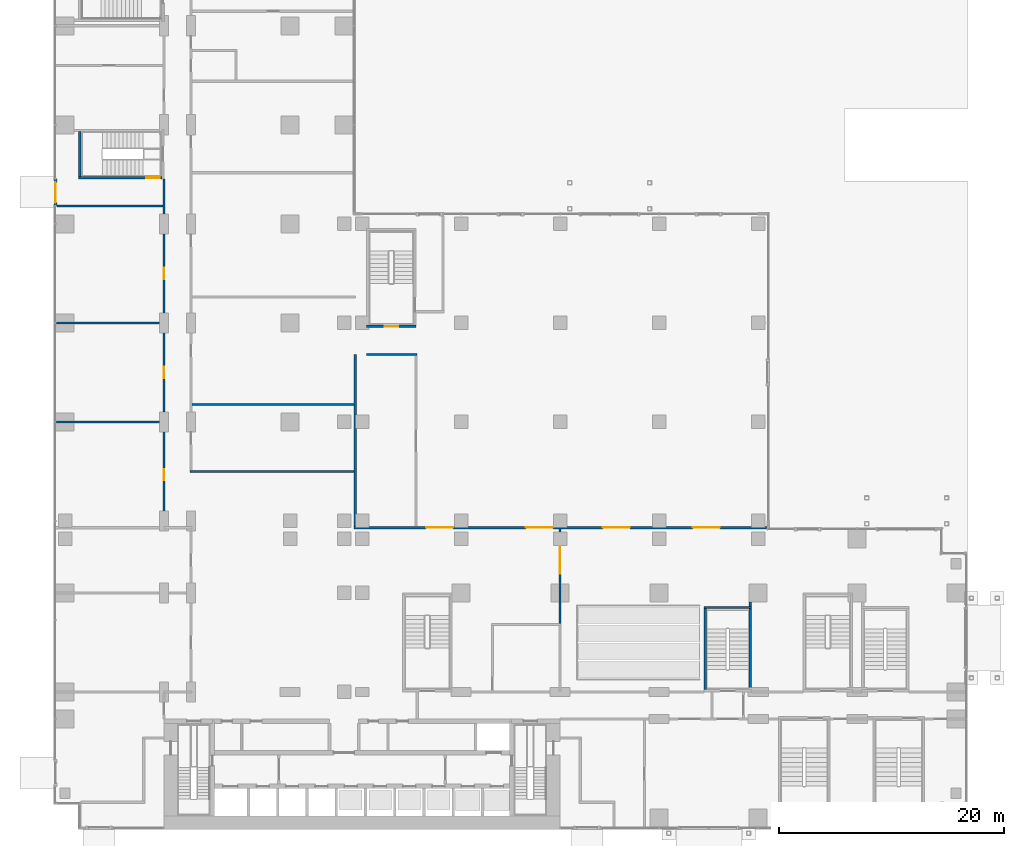
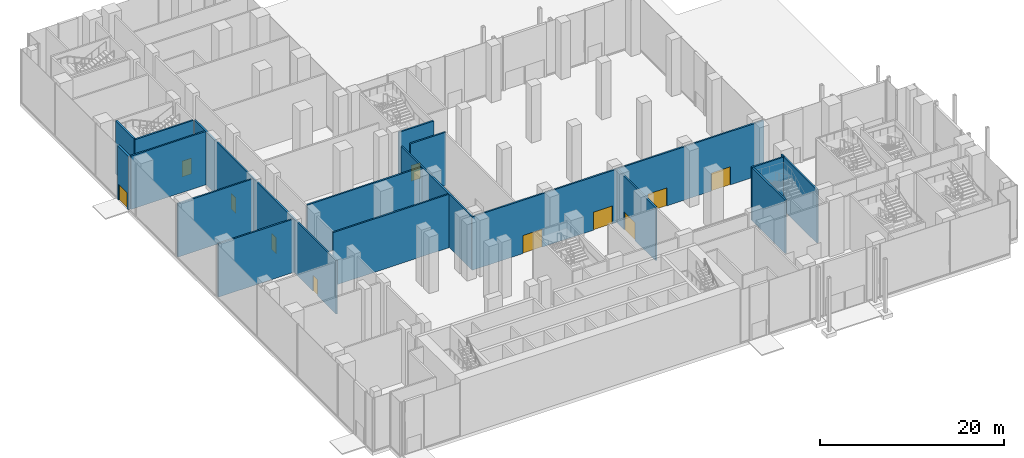
# One storey, part 26 of 41: 17 walls, 11 doors, 11 openings.
"""IFC4 building model written with IfcOpenShell, lengths in metres."""

import ifcopenshell
import ifcopenshell.guid

model = None  # the IFC model being written
_history = None  # IfcOwnerHistory: only IFC2X3 demands one
_inside = {}  # id of a spatial element -> (the spatial element, [elements in it])
_under = {}  # id of a project, library or spatial element -> (it, [spatial elements below it])
_declared = {}  # id of a project -> (the project, [libraries it declares])
_typed = {}  # id of a type object -> (the type object, [elements of that type])
_made_of = {}  # id of a material, layer set ... -> (it, [elements and type objects made of it])


def new_model(schema):
    """Start an empty IFC model of exactly this schema.

    Asked for "IFC4X3", IfcOpenShell would pick the latest addendum, in which some entities
    have other attributes; the version numbers below select the first issue.
    IFC2X3 requires an IfcOwnerHistory on every rooted entity: one is made here for all.
    """
    global model, _history
    if schema == "IFC4X3":
        model = ifcopenshell.file(schema_version=(4, 3, 0, 0))
    else:
        model = ifcopenshell.file(schema=schema)
    _inside.clear()
    _under.clear()
    _declared.clear()
    _typed.clear()
    _made_of.clear()
    _history = None
    if model.schema == "IFC2X3":
        org = make("IfcOrganization", Name="unknown")
        user = make(
            "IfcPersonAndOrganization",
            ThePerson=make("IfcPerson", FamilyName="unknown"),
            TheOrganization=org,
        )
        app = make(
            "IfcApplication",
            ApplicationDeveloper=org,
            Version="unknown",
            ApplicationFullName="unknown",
            ApplicationIdentifier="unknown",
        )
        _history = make(
            "IfcOwnerHistory",
            OwningUser=user,
            OwningApplication=app,
            ChangeAction="ADDED",
            CreationDate=0,
        )
    return model


def make(cls, **values):
    """One entity of the class cls with the attributes given. An attribute that is None is left unset."""
    return model.create_entity(
        cls, **{name: value for name, value in values.items() if value is not None}
    )


def rooted(cls, **values):
    """An entity with a GlobalId (a new one), such as an element, a storey or a relation."""
    return make(cls, GlobalId=ifcopenshell.guid.new(), OwnerHistory=_history, **values)


def si_unit(unit_type, name, prefix=None):
    """IfcSIUnit, for example si_unit("LENGTHUNIT", "METRE", prefix="MILLI")."""
    return make("IfcSIUnit", UnitType=unit_type, Prefix=prefix, Name=name)


def assignment(units):
    """IfcUnitAssignment: the units of a project."""
    return None if units is None else make("IfcUnitAssignment", Units=units)


def point(xyz):
    """IfcCartesianPoint."""
    return None if xyz is None else make("IfcCartesianPoint", Coordinates=xyz)


def direction(xyz):
    """IfcDirection."""
    return None if xyz is None else make("IfcDirection", DirectionRatios=xyz)


def frame(location, z_axis=None, x_axis=None):
    """IfcAxis2Placement3D, a coordinate frame: its origin and axes. An axis left out is left unset."""
    return make(
        "IfcAxis2Placement3D",
        Location=point(location),
        Axis=direction(z_axis),
        RefDirection=direction(x_axis),
    )


def frame_2d(location, x_axis=None):
    """IfcAxis2Placement2D, a coordinate frame in the plane: its origin and x axis."""
    return make(
        "IfcAxis2Placement2D", Location=point(location), RefDirection=direction(x_axis)
    )


def origin():
    """The frame at (0, 0, 0) with its axes left unset."""
    return frame((0.0, 0.0, 0.0))


def place(relative_to, where):
    """IfcLocalPlacement: puts the frame where relative to a parent placement (None: the world)."""
    return make(
        "IfcLocalPlacement", PlacementRelTo=relative_to, RelativePlacement=where
    )


def context(
    kind, dimensions, precision=None, world=None, true_north=None, identifier=None
):
    """IfcGeometricRepresentationContext, for example the 3D "Model" context."""
    return make(
        "IfcGeometricRepresentationContext",
        ContextIdentifier=identifier,
        ContextType=kind,
        CoordinateSpaceDimension=dimensions,
        Precision=precision,
        WorldCoordinateSystem=world,
        TrueNorth=true_north,
    )


def subcontext(parent, identifier, kind, view, scale=None):
    """IfcGeometricRepresentationSubContext, for example "Body" below "Model"."""
    return make(
        "IfcGeometricRepresentationSubContext",
        ContextIdentifier=identifier,
        ContextType=kind,
        ParentContext=parent,
        TargetScale=scale,
        TargetView=view,
    )


def project(units=None, contexts=None):
    """IfcProject with its units and contexts."""
    return rooted(
        "IfcProject",
        Name="project",
        RepresentationContexts=contexts,
        UnitsInContext=assignment(units),
    )


def spatial(cls, under=None, at=None, **own):
    """A site, building, storey or space (cls), placed at a placement, below another one or the project."""
    s = rooted(cls, ObjectPlacement=at, **own)
    if under is not None:
        _under.setdefault(under.id(), (under, []))[1].append(s)
    return s


def profile(cls, at=None, kind="AREA", **sizes):
    """A parametric profile (cls). Its sizes go by their IFC names, for example OverallWidth=200.0."""
    return make(cls, ProfileType=kind, Position=at, **sizes)


def rectangle(**sizes):
    """IfcRectangleProfileDef."""
    return profile("IfcRectangleProfileDef", **sizes)


def extrude(swept, where, along, depth):
    """IfcExtrudedAreaSolid: the profile swept, set in the frame where, extruded along a direction by depth."""
    return make(
        "IfcExtrudedAreaSolid",
        SweptArea=swept,
        Position=where,
        ExtrudedDirection=direction(along),
        Depth=depth,
    )


def shape(context_of_items, identifier, shape_type, items):
    """IfcShapeRepresentation: the items that make up one representation, for example the "Body"."""
    return make(
        "IfcShapeRepresentation",
        ContextOfItems=context_of_items,
        RepresentationIdentifier=identifier,
        RepresentationType=shape_type,
        Items=items,
    )


def material(Name=None, Category=None):
    """IfcMaterial."""
    return make("IfcMaterial", Name=Name, Category=Category)


def layer(
    of_material, thickness, ventilated=None, Name=None, Category=None, Priority=None
):
    """IfcMaterialLayer: one layer of a wall or slab, of a material (None: an air gap)."""
    return make(
        "IfcMaterialLayer",
        Material=of_material,
        LayerThickness=thickness,
        IsVentilated=ventilated,
        Name=Name,
        Category=Category,
        Priority=Priority,
    )


def layer_set(layers, Name=None):
    """IfcMaterialLayerSet."""
    return make("IfcMaterialLayerSet", MaterialLayers=layers, LayerSetName=Name)


def made_of(thing, what):
    """Note that an element or type object is made of a material, layer set ...; save() writes the relation."""
    if what is not None:
        _made_of.setdefault(what.id(), (what, []))[1].append(thing)
    return thing


def type_object(cls, material=None, **own):
    """A type object (cls), such as IfcWallType, which elements share."""
    return made_of(rooted(cls, **own), material)


def element(
    cls,
    number,
    at=None,
    inside=None,
    cuts=None,
    type_object=None,
    material=None,
    context=None,
    identifier="Body",
    shape_type=None,
    held_by="IfcProductDefinitionShape",
    body=None,
    shapes=None,
    **own,
):
    """One element of the class cls, such as IfcWall. Its Tag is "e" and its number.

    at: its placement. inside: the storey or other place that contains it. cuts: it is an
    opening in that element (IfcRelVoidsElement). A single representation is given by context,
    identifier, shape_type and body (its items); several are given by shapes. held_by: the class
    of the entity that holds the representations. save() writes the other relations.
    """
    e = rooted(cls, Tag="e%d" % number, ObjectPlacement=at, **own)
    if body is not None:
        shapes = [shape(context, identifier, shape_type, body)]
    if shapes is not None:
        e.Representation = make(held_by, Representations=shapes)
    if inside is not None:
        _inside.setdefault(inside.id(), (inside, []))[1].append(e)
    if cuts is not None:
        rooted(
            "IfcRelVoidsElement", RelatingBuildingElement=cuts, RelatedOpeningElement=e
        )
    if type_object is not None:
        _typed.setdefault(type_object.id(), (type_object, []))[1].append(e)
    return made_of(e, material)


def fill(opening, filler):
    """IfcRelFillsElement: the door or window that sits in an opening."""
    return rooted(
        "IfcRelFillsElement",
        RelatingOpeningElement=opening,
        RelatedBuildingElement=filler,
    )


def aggregate(whole, parts):
    """IfcRelAggregates: a whole, such as a stair, and the parts it consists of."""
    return rooted("IfcRelAggregates", RelatingObject=whole, RelatedObjects=parts)


def save(model, path):
    """Write the relations noted so far, then the file.

    IfcRelAggregates (storeys below a building ...), IfcRelContainedInSpatialStructure (elements
    in a storey), IfcRelDefinesByType, IfcRelAssociatesMaterial and IfcRelDeclares: one each for
    every whole, place, type object, material and project.
    """
    for whole, parts in _under.values():
        aggregate(whole, parts)
    for where, things in _inside.values():
        rooted(
            "IfcRelContainedInSpatialStructure",
            RelatedElements=things,
            RelatingStructure=where,
        )
    for kind, things in _typed.values():
        rooted("IfcRelDefinesByType", RelatedObjects=things, RelatingType=kind)
    for what, things in _made_of.values():
        rooted("IfcRelAssociatesMaterial", RelatedObjects=things, RelatingMaterial=what)
    for by, libraries in _declared.values():
        rooted("IfcRelDeclares", RelatingContext=by, RelatedDefinitions=libraries)
    model.write(path)


model = new_model("IFC4")

# Units and contexts
model_context = context("Model", 3, precision=1e-05, world=origin(), true_north=direction((0.0, 1.0)))
body_context = subcontext(model_context, "Body", "Model", "MODEL_VIEW")
ifc_project = project(units=[si_unit("LENGTHUNIT", "METRE"), si_unit("AREAUNIT", "SQUARE_METRE"), si_unit("VOLUMEUNIT", "CUBIC_METRE"), si_unit("PLANEANGLEUNIT", "RADIAN"), si_unit("MASSUNIT", "GRAM", prefix="KILO")], contexts=[model_context])

# Site, building, storey
site_placement = place(None, origin())
site = spatial("IfcSite", under=ifc_project, at=site_placement, CompositionType="ELEMENT")
building_placement = place(site_placement, origin())
building = spatial("IfcBuilding", under=site, at=building_placement, Name="Kemantara Hotel Tower", CompositionType="ELEMENT")
storey_placement = place(building_placement, origin())
storey = spatial("IfcBuildingStorey", under=building, at=storey_placement, Name="L00", CompositionType="ELEMENT", Elevation=0.0)

# Wall, opening, door
ifc_material_1 = material(Name="Bronze-clad aluminium panel", Category="aluminium")
ifc_layer_1 = layer(ifc_material_1, 0.300048828125)
ifc_layer_set_1 = layer_set([ifc_layer_1], Name="Bronze-clad aluminium panel")
wall_type_1 = type_object("IfcWallType", Name="BRONZE-CLAD EXTERNAL WALL 300", PredefinedType="STANDARD", material=ifc_layer_set_1)
wall_1_placement = place(storey_placement, frame((0.14990234375, 55.39990234375, 0.0), z_axis=(0.0, 0.0, 1.0), x_axis=(0.0, 1.0, 0.0)))
wall_1 = element("IfcWall", 1, at=wall_1_placement, inside=storey, type_object=wall_type_1, Name="EXTERNAL WALL AT ENTRANCE", PredefinedType="STANDARD", context=body_context, shape_type="SweptSolid", body=[
    extrude(rectangle(XDim=2.400146484375, YDim=0.300048828125, at=frame_2d((1.2001953125, 0.0))), origin(), (0.0, 0.0, 1.0), 7.10009765625),
])
opening_1_placement = place(wall_1_placement, frame((0.300048828125, 0.0, 0.0)))
opening_1 = element("IfcOpeningElement", 2, at=opening_1_placement, cuts=wall_1, Name="Opening L00-B042", PredefinedType="OPENING", context=body_context, shape_type="SweptSolid", body=[
    extrude(rectangle(XDim=1.800048828125, YDim=2.10009765625, at=frame_2d((0.89990234375, 1.050048828125))), frame((0.0, 0.159912109375, 0.0), z_axis=(0.0, -1.0, 0.0), x_axis=(1.0, 0.0, 0.0)), (0.0, 0.0, 1.0), 0.320068359375),
])
ifc_material_2 = material(Name="Galvanised steel door leaf", Category="steel")
door_type_1 = type_object("IfcDoorType", Name="FIRE-RATED STEEL DOOR DOUBLE LEAF 1800 X 2100", OperationType="DOUBLE_DOOR_SINGLE_SWING", PredefinedType="DOOR", material=ifc_material_2)
door_1_placement = place(opening_1_placement, origin())
door_1 = element("IfcDoor", 3, at=door_1_placement, inside=storey, type_object=door_type_1, Name="ENTRANCE DOOR", OperationType="DOUBLE_DOOR_SINGLE_SWING", OverallHeight=2.10009765625, OverallWidth=1.800048828125, PredefinedType="DOOR", context=body_context, shape_type="SweptSolid", body=[
    extrude(rectangle(XDim=1.800048828125, YDim=2.10009765625, at=frame_2d((0.89990234375, 1.050048828125))), frame((0.0, 0.02490234375, 0.0), z_axis=(0.0, -1.0, 0.0), x_axis=(1.0, 0.0, 0.0)), (0.0, 0.0, 1.0), 0.050048828125),
])
fill(opening_1, door_1)

# Walls
ifc_material_3 = material(Name="Concrete fc 40 MPa", Category="concrete")
ifc_layer_2 = layer(ifc_material_3, 0.199951171875)
ifc_layer_set_2 = layer_set([ifc_layer_2], Name="Concrete fc 40 MPa")
wall_type_2 = type_object("IfcWallType", Name="Concrete stair wall 200 mm", PredefinedType="SHEAR", material=ifc_layer_set_2)
wall_2_placement = place(storey_placement, frame((57.800048828125, 19.699951171875, 0.0), z_axis=(0.0, 0.0, 1.0), x_axis=(1.0, 0.0, 0.0)))
element("IfcWall", 4, at=wall_2_placement, inside=storey, type_object=wall_type_2, Name="Stair ST3 enclosure wall N", PredefinedType="SHEAR", context=body_context, shape_type="SweptSolid", body=[
    extrude(rectangle(XDim=4.199951171875, YDim=0.199951171875, at=frame_2d((2.10009765625, 0.0))), origin(), (0.0, 0.0, 1.0), 7.10009765625),
])
wall_3_placement = place(storey_placement, frame((57.89990234375, 12.39990234375, 0.0), z_axis=(0.0, 0.0, 1.0), x_axis=(0.0, 1.0, 0.0)))
element("IfcWall", 5, at=wall_3_placement, inside=storey, type_object=wall_type_2, Name="Stair ST3 enclosure wall W", PredefinedType="SHEAR", context=body_context, shape_type="SweptSolid", body=[
    extrude(rectangle(XDim=7.2001953125, YDim=0.199951171875, at=frame_2d((3.60009765625, 0.0))), origin(), (0.0, 0.0, 1.0), 7.10009765625),
])
wall_4_placement = place(storey_placement, frame((61.89990234375, 12.39990234375, 0.0), z_axis=(0.0, 0.0, 1.0), x_axis=(0.0, 1.0, 0.0)))
element("IfcWall", 6, at=wall_4_placement, inside=storey, type_object=wall_type_2, Name="Stair ST3 enclosure wall E", PredefinedType="SHEAR", context=body_context, shape_type="SweptSolid", body=[
    extrude(rectangle(XDim=7.800048828125, YDim=0.199951171875, at=frame_2d((3.89990234375, 0.0))), origin(), (0.0, 0.0, 1.0), 7.10009765625),
])

# Wall, opening, door
wall_5_placement = place(storey_placement, frame((2.199951171875, 57.89990234375, 0.0), z_axis=(0.0, 0.0, 1.0), x_axis=(1.0, 0.0, 0.0)))
wall_5 = element("IfcWall", 7, at=wall_5_placement, inside=storey, type_object=wall_type_2, Name="Stair ST4 enclosure wall S", PredefinedType="SHEAR", context=body_context, shape_type="SweptSolid", body=[
    extrude(rectangle(XDim=7.400146484375, YDim=0.199951171875, at=frame_2d((3.7001953125, 0.0))), origin(), (0.0, 0.0, 1.0), 7.10009765625),
])
opening_2_placement = place(wall_5_placement, frame((6.0, 0.0, 0.0)))
opening_2 = element("IfcOpeningElement", 8, at=opening_2_placement, cuts=wall_5, Name="Opening ST4-X", PredefinedType="OPENING", context=body_context, shape_type="SweptSolid", body=[
    extrude(rectangle(XDim=1.199951171875, YDim=2.10009765625, at=frame_2d((0.60009765625, 1.050048828125))), frame((0.0, 0.10986328125, 0.0), z_axis=(0.0, -1.0, 0.0), x_axis=(1.0, 0.0, 0.0)), (0.0, 0.0, 1.0), 0.219970703125),
])
ifc_material_4 = material(Name="Steel fire door", Category="steel")
door_type_2 = type_object("IfcDoorType", Name="Fire door FD90 1200 x 2100", OperationType="NOTDEFINED", PredefinedType="DOOR", material=ifc_material_4)
door_2_placement = place(opening_2_placement, frame((1.199951171875, 0.0, 0.0), z_axis=(0.0, 0.0, 1.0), x_axis=(-1.0, 0.0, 0.0)))
door_2 = element("IfcDoor", 9, at=door_2_placement, inside=storey, type_object=door_type_2, Name="Stair ST4 exit door to its exit passage", OperationType="SINGLE_SWING_LEFT", OverallHeight=2.10009765625, OverallWidth=1.199951171875, PredefinedType="DOOR", context=body_context, shape_type="SweptSolid", body=[
    extrude(rectangle(XDim=1.199951171875, YDim=2.10009765625, at=frame_2d((0.60009765625, 1.050048828125))), frame((0.0, 0.02490234375, 0.0), z_axis=(0.0, -1.0, 0.0), x_axis=(1.0, 0.0, 0.0)), (0.0, 0.0, 1.0), 0.050048828125),
])
fill(opening_2, door_2)

# Wall
wall_6_placement = place(storey_placement, frame((2.300048828125, 58.0, 0.0), z_axis=(0.0, 0.0, 1.0), x_axis=(0.0, 1.0, 0.0)))
element("IfcWall", 10, at=wall_6_placement, inside=storey, type_object=wall_type_2, Name="Stair ST4 enclosure wall W", PredefinedType="SHEAR", context=body_context, shape_type="SweptSolid", body=[
    extrude(rectangle(XDim=4.0, YDim=0.199951171875, at=frame_2d((2.0, 0.0))), origin(), (0.0, 0.0, 1.0), 7.10009765625),
])

# Wall, opening, door
wall_7_placement = place(storey_placement, frame((27.800048828125, 44.699951171875, 0.0), z_axis=(0.0, 0.0, 1.0), x_axis=(1.0, 0.0, 0.0)))
wall_7 = element("IfcWall", 11, at=wall_7_placement, inside=storey, type_object=wall_type_2, Name="Stair PS2 enclosure wall with door", PredefinedType="SHEAR", context=body_context, shape_type="SweptSolid", body=[
    extrude(rectangle(XDim=4.39990234375, YDim=0.199951171875, at=frame_2d((2.199951171875, 0.0))), origin(), (0.0, 0.0, 1.0), 7.10009765625),
])
opening_3_placement = place(wall_7_placement, frame((1.60009765625, 0.0, 0.0)))
opening_3 = element("IfcOpeningElement", 12, at=opening_3_placement, cuts=wall_7, Name="Opening PS2-C", PredefinedType="OPENING", context=body_context, shape_type="SweptSolid", body=[
    extrude(rectangle(XDim=1.199951171875, YDim=2.10009765625, at=frame_2d((0.60009765625, 1.050048828125))), frame((0.0, 0.10986328125, 0.0), z_axis=(0.0, -1.0, 0.0), x_axis=(1.0, 0.0, 0.0)), (0.0, 0.0, 1.0), 0.219970703125),
])
door_3_placement = place(opening_3_placement, frame((1.199951171875, 0.0, 0.0), z_axis=(0.0, 0.0, 1.0), x_axis=(-1.0, 0.0, 0.0)))
door_3 = element("IfcDoor", 13, at=door_3_placement, inside=storey, type_object=door_type_2, Name="Stair PS2 door", OperationType="SINGLE_SWING_RIGHT", OverallHeight=2.10009765625, OverallWidth=1.199951171875, PredefinedType="DOOR", context=body_context, shape_type="SweptSolid", body=[
    extrude(rectangle(XDim=1.199951171875, YDim=2.10009765625, at=frame_2d((0.60009765625, 1.050048828125))), frame((0.0, 0.02490234375, 0.0), z_axis=(0.0, -1.0, 0.0), x_axis=(1.0, 0.0, 0.0)), (0.0, 0.0, 1.0), 0.050048828125),
])
fill(opening_3, door_3)

# Walls
ifc_material_5 = material(Name="Fire-rated gypsum board partition")
ifc_layer_3 = layer(ifc_material_5, 0.199951171875)
ifc_layer_set_3 = layer_set([ifc_layer_3], Name="Fire-rated gypsum board partition")
wall_type_3 = type_object("IfcWallType", Name="FIRE-RATED GYPSUM PARTITION 200 EI 60", PredefinedType="PARTITIONING", material=ifc_layer_set_3)
wall_8_placement = place(storey_placement, frame((0.300048828125, 55.39990234375, 0.0), z_axis=(0.0, 0.0, 1.0), x_axis=(1.0, 0.0, 0.0)))
element("IfcWall", 14, at=wall_8_placement, inside=storey, type_object=wall_type_3, Name="FIRE-RATED PARTITION", PredefinedType="PARTITIONING", context=body_context, shape_type="SweptSolid", body=[
    extrude(rectangle(XDim=9.39990234375, YDim=0.199951171875, at=frame_2d((4.699951171875, 0.0))), origin(), (0.0, 0.0, 1.0), 7.10009765625),
])
wall_9_placement = place(storey_placement, frame((27.800048828125, 42.199951171875, 0.0), z_axis=(0.0, 0.0, 1.0), x_axis=(1.0, 0.0, 0.0)))
element("IfcWall", 15, at=wall_9_placement, inside=storey, type_object=wall_type_3, Name="FIRE-RATED PARTITION", PredefinedType="PARTITIONING", context=body_context, shape_type="SweptSolid", body=[
    extrude(rectangle(XDim=4.5, YDim=0.199951171875, at=frame_2d((2.25, 0.0))), origin(), (0.0, 0.0, 1.0), 7.10009765625),
])

# Wall, openings, doors
wall_10_placement = place(storey_placement, frame((9.800048828125, 26.89990234375, 0.0), z_axis=(0.0, 0.0, 1.0), x_axis=(0.0, 1.0, 0.0)))
wall_10 = element("IfcWall", 16, at=wall_10_placement, inside=storey, type_object=wall_type_3, Name="FIRE-RATED PARTITION", PredefinedType="PARTITIONING", context=body_context, shape_type="SweptSolid", body=[
    extrude(rectangle(XDim=30.900146484375, YDim=0.199951171875, at=frame_2d((15.4501953125, 0.0))), origin(), (0.0, 0.0, 1.0), 7.10009765625),
])
opening_4_placement = place(wall_10_placement, frame((4.10009765625, 0.0, 0.0)))
opening_4 = element("IfcOpeningElement", 17, at=opening_4_placement, cuts=wall_10, Name="Opening L00-B009", PredefinedType="OPENING", context=body_context, shape_type="SweptSolid", body=[
    extrude(rectangle(XDim=1.0, YDim=2.10009765625, at=frame_2d((0.5, 1.050048828125))), frame((0.0, 0.10986328125, 0.0), z_axis=(0.0, -1.0, 0.0), x_axis=(1.0, 0.0, 0.0)), (0.0, 0.0, 1.0), 0.219970703125),
])
opening_5_placement = place(wall_10_placement, frame((13.199951171875, 0.0, 0.0)))
opening_5 = element("IfcOpeningElement", 18, at=opening_5_placement, cuts=wall_10, Name="Opening L00-B010", PredefinedType="OPENING", context=body_context, shape_type="SweptSolid", body=[
    extrude(rectangle(XDim=1.0, YDim=2.10009765625, at=frame_2d((0.5, 1.050048828125))), frame((0.0, 0.10986328125, 0.0), z_axis=(0.0, -1.0, 0.0), x_axis=(1.0, 0.0, 0.0)), (0.0, 0.0, 1.0), 0.219970703125),
])
opening_6_placement = place(wall_10_placement, frame((22.0, 0.0, 0.0)))
opening_6 = element("IfcOpeningElement", 19, at=opening_6_placement, cuts=wall_10, Name="Opening L00-B011", PredefinedType="OPENING", context=body_context, shape_type="SweptSolid", body=[
    extrude(rectangle(XDim=1.0, YDim=2.10009765625, at=frame_2d((0.5, 1.050048828125))), frame((0.0, 0.10986328125, 0.0), z_axis=(0.0, -1.0, 0.0), x_axis=(1.0, 0.0, 0.0)), (0.0, 0.0, 1.0), 0.219970703125),
])
ifc_material_6 = material(Name="Timber veneer door leaf", Category="wood")
door_type_3 = type_object("IfcDoorType", Name="SINGLE LEAF TIMBER DOOR 1000 X 2100", OperationType="SINGLE_SWING_LEFT", PredefinedType="DOOR", material=ifc_material_6)
door_4_placement = place(opening_4_placement, origin())
door_4 = element("IfcDoor", 20, at=door_4_placement, inside=storey, type_object=door_type_3, Name="SINGLE LEAF TIMBER DOOR", OperationType="SINGLE_SWING_LEFT", OverallHeight=2.10009765625, OverallWidth=1.0, PredefinedType="DOOR", context=body_context, shape_type="SweptSolid", body=[
    extrude(rectangle(XDim=1.0, YDim=2.10009765625, at=frame_2d((0.5, 1.050048828125))), frame((0.0, 0.02490234375, 0.0), z_axis=(0.0, -1.0, 0.0), x_axis=(1.0, 0.0, 0.0)), (0.0, 0.0, 1.0), 0.050048828125),
])
fill(opening_4, door_4)
door_5_placement = place(opening_5_placement, origin())
door_5 = element("IfcDoor", 21, at=door_5_placement, inside=storey, type_object=door_type_3, Name="SINGLE LEAF TIMBER DOOR", OperationType="SINGLE_SWING_LEFT", OverallHeight=2.10009765625, OverallWidth=1.0, PredefinedType="DOOR", context=body_context, shape_type="SweptSolid", body=[
    extrude(rectangle(XDim=1.0, YDim=2.10009765625, at=frame_2d((0.5, 1.050048828125))), frame((0.0, 0.02490234375, 0.0), z_axis=(0.0, -1.0, 0.0), x_axis=(1.0, 0.0, 0.0)), (0.0, 0.0, 1.0), 0.050048828125),
])
fill(opening_5, door_5)
door_6_placement = place(opening_6_placement, origin())
door_6 = element("IfcDoor", 22, at=door_6_placement, inside=storey, type_object=door_type_3, Name="SINGLE LEAF TIMBER DOOR", OperationType="SINGLE_SWING_RIGHT", OverallHeight=2.10009765625, OverallWidth=1.0, PredefinedType="DOOR", context=body_context, shape_type="SweptSolid", body=[
    extrude(rectangle(XDim=1.0, YDim=2.10009765625, at=frame_2d((0.5, 1.050048828125))), frame((0.0, 0.02490234375, 0.0), z_axis=(0.0, -1.0, 0.0), x_axis=(1.0, 0.0, 0.0)), (0.0, 0.0, 1.0), 0.050048828125),
])
fill(opening_6, door_6)

ifc_material_7 = material(Name="Gypsum board partition")
ifc_layer_4 = layer(ifc_material_7, 0.199951171875)
ifc_layer_set_4 = layer_set([ifc_layer_4], Name="Gypsum board partition")
wall_type_4 = type_object("IfcWallType", Name="GYPSUM BOARD PARTITION 200", PredefinedType="PARTITIONING", material=ifc_layer_set_4)
wall_11_placement = place(storey_placement, frame((26.699951171875, 26.800048828125, 0.0), z_axis=(0.0, 0.0, 1.0), x_axis=(1.0, 0.0, 0.0)))
wall_11 = element("IfcWall", 23, at=wall_11_placement, inside=storey, type_object=wall_type_4, Name="PARTITION", PredefinedType="PARTITIONING", context=body_context, shape_type="SweptSolid", body=[
    extrude(rectangle(XDim=36.699951171875, YDim=0.199951171875, at=frame_2d((18.35009765625, 0.0))), origin(), (0.0, 0.0, 1.0), 7.10009765625),
])
opening_7_placement = place(wall_11_placement, frame((6.39990234375, 0.0, 0.0)))
opening_7 = element("IfcOpeningElement", 24, at=opening_7_placement, cuts=wall_11, Name="Opening L00-B025", PredefinedType="OPENING", context=body_context, shape_type="SweptSolid", body=[
    extrude(rectangle(XDim=2.39990234375, YDim=2.39990234375, at=frame_2d((1.199951171875, 1.199951171875))), frame((0.0, 0.10986328125, 0.0), z_axis=(0.0, -1.0, 0.0), x_axis=(1.0, 0.0, 0.0)), (0.0, 0.0, 1.0), 0.219970703125),
])
opening_8_placement = place(wall_11_placement, frame((15.25, 0.0, 0.0)))
opening_8 = element("IfcOpeningElement", 25, at=opening_8_placement, cuts=wall_11, Name="Opening L00-B026", PredefinedType="OPENING", context=body_context, shape_type="SweptSolid", body=[
    extrude(rectangle(XDim=2.39990234375, YDim=2.39990234375, at=frame_2d((1.199951171875, 1.199951171875))), frame((0.0, 0.10986328125, 0.0), z_axis=(0.0, -1.0, 0.0), x_axis=(1.0, 0.0, 0.0)), (0.0, 0.0, 1.0), 0.219970703125),
])
opening_9_placement = place(wall_11_placement, frame((22.10009765625, 0.0, 0.0)))
opening_9 = element("IfcOpeningElement", 26, at=opening_9_placement, cuts=wall_11, Name="Opening L00-B029", PredefinedType="OPENING", context=body_context, shape_type="SweptSolid", body=[
    extrude(rectangle(XDim=2.39990234375, YDim=2.39990234375, at=frame_2d((1.199951171875, 1.199951171875))), frame((0.0, 0.10986328125, 0.0), z_axis=(0.0, -1.0, 0.0), x_axis=(1.0, 0.0, 0.0)), (0.0, 0.0, 1.0), 0.219970703125),
])
opening_10_placement = place(wall_11_placement, frame((30.10009765625, 0.0, 0.0)))
opening_10 = element("IfcOpeningElement", 27, at=opening_10_placement, cuts=wall_11, Name="Opening L00-B030", PredefinedType="OPENING", context=body_context, shape_type="SweptSolid", body=[
    extrude(rectangle(XDim=2.39990234375, YDim=2.39990234375, at=frame_2d((1.199951171875, 1.199951171875))), frame((0.0, 0.10986328125, 0.0), z_axis=(0.0, -1.0, 0.0), x_axis=(1.0, 0.0, 0.0)), (0.0, 0.0, 1.0), 0.219970703125),
])
ifc_material_8 = material(Name="Toughened glass door leaf", Category="glass")
door_type_4 = type_object("IfcDoorType", Name="AUTOMATIC SLIDING GLASS DOOR 2400 X 2400", OperationType="DOUBLE_DOOR_SLIDING", PredefinedType="DOOR", material=ifc_material_8)
door_7_placement = place(opening_7_placement, origin())
door_7 = element("IfcDoor", 28, at=door_7_placement, inside=storey, type_object=door_type_4, Name="AUTOMATIC SLIDING GLASS DOOR", OperationType="DOUBLE_DOOR_SLIDING", OverallHeight=2.39990234375, OverallWidth=2.39990234375, PredefinedType="DOOR", context=body_context, shape_type="SweptSolid", body=[
    extrude(rectangle(XDim=2.39990234375, YDim=2.39990234375, at=frame_2d((1.199951171875, 1.199951171875))), frame((0.0, 0.02490234375, 0.0), z_axis=(0.0, -1.0, 0.0), x_axis=(1.0, 0.0, 0.0)), (0.0, 0.0, 1.0), 0.050048828125),
])
fill(opening_7, door_7)
door_8_placement = place(opening_8_placement, origin())
door_8 = element("IfcDoor", 29, at=door_8_placement, inside=storey, type_object=door_type_4, Name="AUTOMATIC SLIDING GLASS DOOR", OperationType="DOUBLE_DOOR_SLIDING", OverallHeight=2.39990234375, OverallWidth=2.39990234375, PredefinedType="DOOR", context=body_context, shape_type="SweptSolid", body=[
    extrude(rectangle(XDim=2.39990234375, YDim=2.39990234375, at=frame_2d((1.199951171875, 1.199951171875))), frame((0.0, 0.02490234375, 0.0), z_axis=(0.0, -1.0, 0.0), x_axis=(1.0, 0.0, 0.0)), (0.0, 0.0, 1.0), 0.050048828125),
])
fill(opening_8, door_8)
door_9_placement = place(opening_9_placement, origin())
door_9 = element("IfcDoor", 30, at=door_9_placement, inside=storey, type_object=door_type_4, Name="AUTOMATIC SLIDING GLASS DOOR", OperationType="DOUBLE_DOOR_SLIDING", OverallHeight=2.39990234375, OverallWidth=2.39990234375, PredefinedType="DOOR", context=body_context, shape_type="SweptSolid", body=[
    extrude(rectangle(XDim=2.39990234375, YDim=2.39990234375, at=frame_2d((1.199951171875, 1.199951171875))), frame((0.0, 0.02490234375, 0.0), z_axis=(0.0, -1.0, 0.0), x_axis=(1.0, 0.0, 0.0)), (0.0, 0.0, 1.0), 0.050048828125),
])
fill(opening_9, door_9)
door_10_placement = place(opening_10_placement, origin())
door_10 = element("IfcDoor", 31, at=door_10_placement, inside=storey, type_object=door_type_4, Name="AUTOMATIC SLIDING GLASS DOOR", OperationType="DOUBLE_DOOR_SLIDING", OverallHeight=2.39990234375, OverallWidth=2.39990234375, PredefinedType="DOOR", context=body_context, shape_type="SweptSolid", body=[
    extrude(rectangle(XDim=2.39990234375, YDim=2.39990234375, at=frame_2d((1.199951171875, 1.199951171875))), frame((0.0, 0.02490234375, 0.0), z_axis=(0.0, -1.0, 0.0), x_axis=(1.0, 0.0, 0.0)), (0.0, 0.0, 1.0), 0.050048828125),
])
fill(opening_10, door_10)

# Walls
wall_12_placement = place(storey_placement, frame((12.10009765625, 31.800048828125, 0.0), z_axis=(0.0, 0.0, 1.0), x_axis=(1.0, 0.0, 0.0)))
element("IfcWall", 32, at=wall_12_placement, inside=storey, type_object=wall_type_4, Name="PARTITION", PredefinedType="PARTITIONING", context=body_context, shape_type="SweptSolid", body=[
    extrude(rectangle(XDim=14.599853515625, YDim=0.199951171875, at=frame_2d((7.2998046875, 0.0))), origin(), (0.0, 0.0, 1.0), 7.10009765625),
])
for number, where, z_axis, x_axis, name in (
    (33, (0.199951171875, 36.199951171875, 0.0), (0.0, 0.0, 1.0), (1.0, 0.0, 0.0), "PARTITION"),
    (34, (0.199951171875, 45.0, 0.0), (0.0, 0.0, 1.0), (1.0, 0.0, 0.0), "PARTITION"),
):
    element("IfcWall", number, at=place(storey_placement, frame(where, z_axis=z_axis, x_axis=x_axis)), inside=storey, type_object=wall_type_4, Name=name, PredefinedType="PARTITIONING", context=body_context, shape_type="SweptSolid", body=[
        extrude(rectangle(XDim=9.5, YDim=0.199951171875, at=frame_2d((4.75, 0.0))), origin(), (0.0, 0.0, 1.0), 7.10009765625),
    ])
wall_13_placement = place(storey_placement, frame((12.300048828125, 37.75, 0.0), z_axis=(0.0, 0.0, 1.0), x_axis=(1.0, 0.0, 0.0)))
element("IfcWall", 35, at=wall_13_placement, inside=storey, type_object=wall_type_4, Name="PARTITION", PredefinedType="PARTITIONING", context=body_context, shape_type="SweptSolid", body=[
    extrude(rectangle(XDim=14.39990234375, YDim=0.199951171875, at=frame_2d((7.199951171875, 0.0))), origin(), (0.0, 0.0, 1.0), 7.10009765625),
])

# Wall, opening, door
wall_14_placement = place(storey_placement, frame((45.0, 18.300048828125, 0.0), z_axis=(0.0, 0.0, 1.0), x_axis=(0.0, 1.0, 0.0)))
wall_14 = element("IfcWall", 36, at=wall_14_placement, inside=storey, type_object=wall_type_4, Name="PARTITION", PredefinedType="PARTITIONING", context=body_context, shape_type="SweptSolid", body=[
    extrude(rectangle(XDim=8.39990234375, YDim=0.199951171875, at=frame_2d((4.199951171875, 0.0))), origin(), (0.0, 0.0, 1.0), 7.10009765625),
])
opening_11_placement = place(wall_14_placement, frame((4.39990234375, 0.0, 0.0)))
opening_11 = element("IfcOpeningElement", 37, at=opening_11_placement, cuts=wall_14, Name="Opening L00-B027", PredefinedType="OPENING", context=body_context, shape_type="SweptSolid", body=[
    extrude(rectangle(XDim=2.39990234375, YDim=2.39990234375, at=frame_2d((1.199951171875, 1.199951171875))), frame((0.0, 0.10986328125, 0.0), z_axis=(0.0, -1.0, 0.0), x_axis=(1.0, 0.0, 0.0)), (0.0, 0.0, 1.0), 0.219970703125),
])
door_11_placement = place(opening_11_placement, origin())
door_11 = element("IfcDoor", 38, at=door_11_placement, inside=storey, type_object=door_type_4, Name="AUTOMATIC SLIDING GLASS DOOR", OperationType="DOUBLE_DOOR_SLIDING", OverallHeight=2.39990234375, OverallWidth=2.39990234375, PredefinedType="DOOR", context=body_context, shape_type="SweptSolid", body=[
    extrude(rectangle(XDim=2.39990234375, YDim=2.39990234375, at=frame_2d((1.199951171875, 1.199951171875))), frame((0.0, 0.02490234375, 0.0), z_axis=(0.0, -1.0, 0.0), x_axis=(1.0, 0.0, 0.0)), (0.0, 0.0, 1.0), 0.050048828125),
])
fill(opening_11, door_11)

# Wall
wall_15_placement = place(storey_placement, frame((26.800048828125, 26.89990234375, 0.0), z_axis=(0.0, 0.0, 1.0), x_axis=(0.0, 1.0, 0.0)))
element("IfcWall", 39, at=wall_15_placement, inside=storey, type_object=wall_type_4, Name="PARTITION", PredefinedType="PARTITIONING", context=body_context, shape_type="SweptSolid", body=[
    extrude(rectangle(XDim=15.300048828125, YDim=0.199951171875, at=frame_2d((7.64990234375, 0.0))), origin(), (0.0, 0.0, 1.0), 7.10009765625),
])

save(model, "model.ifc")
